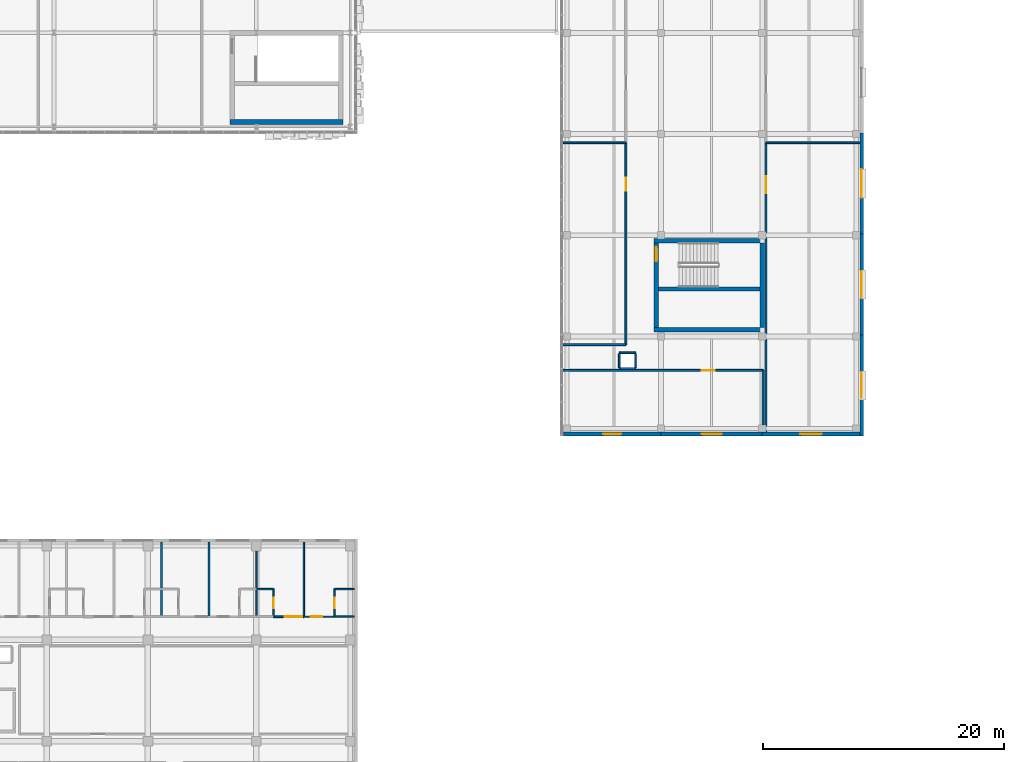
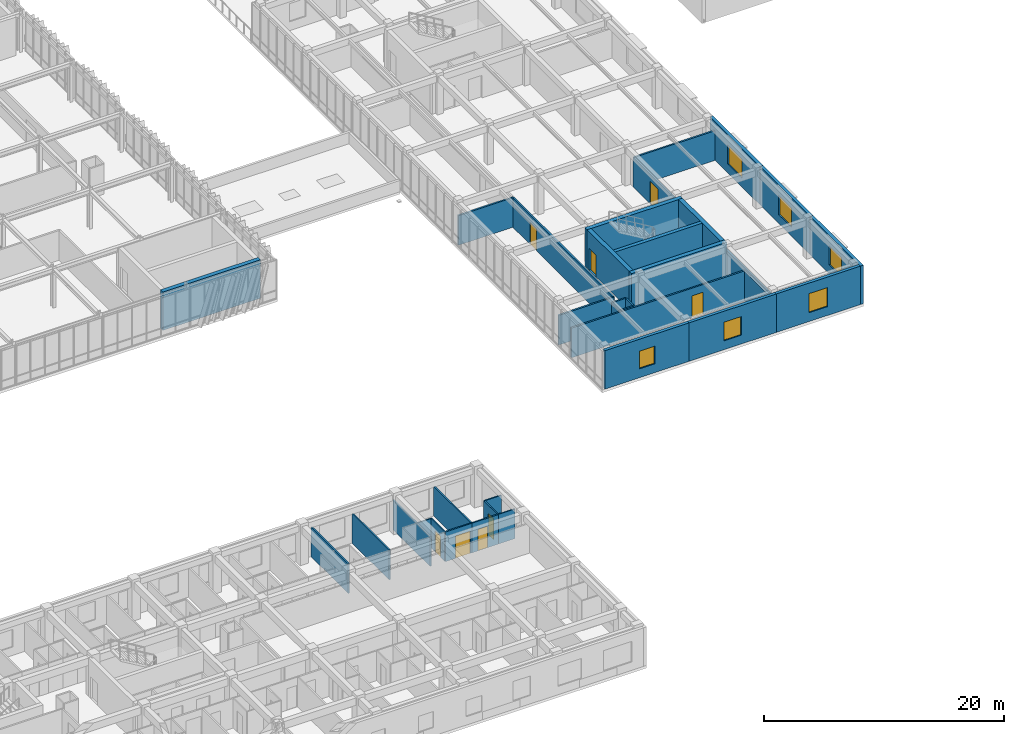
# One storey, part 111 of 123: 34 walls, 8 doors, 6 windows, 14 openings.
"""IFC4 building model written with IfcOpenShell, lengths in metres."""

from ifc_helpers import new_model, si_unit, direction, frame, frame_2d, origin, place, context, subcontext, project, spatial, rectangle, extrude, material, layer, layer_set, type_object, element, fill, save


model = new_model("IFC4")

# Units and contexts
model_context = context("Model", 3, precision=1e-05, world=origin(), true_north=direction((0.0, 1.0)))
body_context = subcontext(model_context, "Body", "Model", "MODEL_VIEW")
ifc_project = project(units=[si_unit("LENGTHUNIT", "METRE"), si_unit("AREAUNIT", "SQUARE_METRE"), si_unit("VOLUMEUNIT", "CUBIC_METRE"), si_unit("PLANEANGLEUNIT", "RADIAN"), si_unit("MASSUNIT", "GRAM", prefix="KILO")], contexts=[model_context])

# Site, building, storey
site_placement = place(None, origin())
site = spatial("IfcSite", under=ifc_project, at=site_placement, CompositionType="ELEMENT")
building_placement = place(site_placement, origin())
building = spatial("IfcBuilding", under=site, at=building_placement, Name="Zayran Congress Hotel", CompositionType="ELEMENT")
storey_placement = place(building_placement, frame((0.0, 0.0, 15.0)))
storey = spatial("IfcBuildingStorey", under=building, at=storey_placement, Name="L03", CompositionType="ELEMENT", Elevation=15.0)

# Wall, opening, window
ifc_material_1 = material(Name="Ajlun white limestone and insulated concrete C32/40", Category="masonry")
ifc_layer_1 = layer(ifc_material_1, 0.300048828125)
ifc_layer_set_1 = layer_set([ifc_layer_1], Name="Ajlun white limestone and insulated concrete C32/40")
wall_type_1 = type_object("IfcWallType", Name="WL-EX-300", PredefinedType="SOLIDWALL", material=ifc_layer_set_1)
wall_1_placement = place(storey_placement, frame((117.60009765625, 42.699951171875, 0.0), z_axis=(0.0, 0.0, 1.0), x_axis=(-1.0, 0.0, 0.0)))
wall_1 = element("IfcWall", 1, at=wall_1_placement, inside=storey, type_object=wall_type_1, Name="EW-V4-S-L03-0", PredefinedType="SOLIDWALL", context=body_context, shape_type="SweptSolid", body=[
    extrude(rectangle(XDim=8.10009765625, YDim=0.300048828125, at=frame_2d((4.050048828125, 0.0))), origin(), (0.0, 0.0, 1.0), 3.919921875),
])
opening_1_placement = place(wall_1_placement, frame((3.31005859375, 0.0, 0.89990234375)))
opening_1 = element("IfcOpeningElement", 2, at=opening_1_placement, cuts=wall_1, Name="Opening WN-34", PredefinedType="OPENING", context=body_context, shape_type="SweptSolid", body=[
    extrude(rectangle(XDim=1.47998046875, YDim=1.800048828125, at=frame_2d((0.739990234375, 0.89990234375))), frame((0.0, 0.159912109375, 0.0), z_axis=(0.0, -1.0, 0.0), x_axis=(1.0, 0.0, 0.0)), (0.0, 0.0, 1.0), 0.320068359375),
])
ifc_material_2 = material(Name="Anodised aluminium and low-E insulated glass", Category="aluminium")
window_type_1 = type_object("IfcWindowType", Name="TP-WN-34", PartitioningType="SINGLE_PANEL", PredefinedType="WINDOW", material=ifc_material_2)
window_1_placement = place(opening_1_placement, origin())
window_1 = element("IfcWindow", 3, at=window_1_placement, inside=storey, type_object=window_type_1, Name="WIN-V4-0147", OverallHeight=1.800048828125, OverallWidth=1.47998046875, PartitioningType="SINGLE_PANEL", PredefinedType="WINDOW", context=body_context, shape_type="SweptSolid", body=[
    extrude(rectangle(XDim=1.47998046875, YDim=1.800048828125, at=frame_2d((0.739990234375, 0.89990234375))), frame((0.0, 0.030029296875, 0.0), z_axis=(0.0, -1.0, 0.0), x_axis=(1.0, 0.0, 0.0)), (0.0, 0.0, 1.0), 0.06005859375),
])
fill(opening_1, window_1)

wall_2_placement = place(storey_placement, frame((126.0, 42.699951171875, 0.0), z_axis=(0.0, 0.0, 1.0), x_axis=(-1.0, 0.0, 0.0)))
wall_2 = element("IfcWall", 4, at=wall_2_placement, inside=storey, type_object=wall_type_1, Name="EW-V4-S-L03-1", PredefinedType="SOLIDWALL", context=body_context, shape_type="SweptSolid", body=[
    extrude(rectangle(XDim=8.39990234375, YDim=0.300048828125, at=frame_2d((4.199951171875, 0.0))), origin(), (0.0, 0.0, 1.0), 3.919921875),
])
opening_2_placement = place(wall_2_placement, frame((3.360107421875, 0.0, 0.89990234375)))
opening_2 = element("IfcOpeningElement", 5, at=opening_2_placement, cuts=wall_2, Name="Opening WN-36", PredefinedType="OPENING", context=body_context, shape_type="SweptSolid", body=[
    extrude(rectangle(XDim=1.679931640625, YDim=1.89990234375, at=frame_2d((0.83984375, 0.949951171875))), frame((0.0, 0.159912109375, 0.0), z_axis=(0.0, -1.0, 0.0), x_axis=(1.0, 0.0, 0.0)), (0.0, 0.0, 1.0), 0.320068359375),
])
window_type_2 = type_object("IfcWindowType", Name="TP-WN-36", PartitioningType="DOUBLE_PANEL_VERTICAL", PredefinedType="WINDOW", material=ifc_material_2)
window_2_placement = place(opening_2_placement, origin())
window_2 = element("IfcWindow", 6, at=window_2_placement, inside=storey, type_object=window_type_2, Name="WIN-V4-0149", OverallHeight=1.89990234375, OverallWidth=1.679931640625, PartitioningType="SINGLE_PANEL", PredefinedType="WINDOW", context=body_context, shape_type="SweptSolid", body=[
    extrude(rectangle(XDim=1.679931640625, YDim=1.89990234375, at=frame_2d((0.83984375, 0.949951171875))), frame((0.0, 0.030029296875, 0.0), z_axis=(0.0, -1.0, 0.0), x_axis=(1.0, 0.0, 0.0)), (0.0, 0.0, 1.0), 0.06005859375),
])
fill(opening_2, window_2)

wall_3_placement = place(storey_placement, frame((134.10009765625, 42.699951171875, 0.0), z_axis=(0.0, 0.0, 1.0), x_axis=(-1.0, 0.0, 0.0)))
wall_3 = element("IfcWall", 7, at=wall_3_placement, inside=storey, type_object=wall_type_1, Name="EW-V4-S-L03-2", PredefinedType="SOLIDWALL", context=body_context, shape_type="SweptSolid", body=[
    extrude(rectangle(XDim=8.10009765625, YDim=0.300048828125, at=frame_2d((4.050048828125, 0.0))), origin(), (0.0, 0.0, 1.0), 3.919921875),
])
opening_3_placement = place(wall_3_placement, frame((3.159912109375, 0.0, 0.89990234375)))
opening_3 = element("IfcOpeningElement", 8, at=opening_3_placement, cuts=wall_3, Name="Opening WN-37", PredefinedType="OPENING", context=body_context, shape_type="SweptSolid", body=[
    extrude(rectangle(XDim=1.780029296875, YDim=1.949951171875, at=frame_2d((0.89013671875, 0.97509765625))), frame((0.0, 0.159912109375, 0.0), z_axis=(0.0, -1.0, 0.0), x_axis=(1.0, 0.0, 0.0)), (0.0, 0.0, 1.0), 0.320068359375),
])
window_type_3 = type_object("IfcWindowType", Name="TP-WN-37", PartitioningType="DOUBLE_PANEL_VERTICAL", PredefinedType="WINDOW", material=ifc_material_2)
window_3_placement = place(opening_3_placement, origin())
window_3 = element("IfcWindow", 9, at=window_3_placement, inside=storey, type_object=window_type_3, Name="WIN-V4-0151", OverallHeight=1.949951171875, OverallWidth=1.780029296875, PartitioningType="SINGLE_PANEL", PredefinedType="WINDOW", context=body_context, shape_type="SweptSolid", body=[
    extrude(rectangle(XDim=1.780029296875, YDim=1.949951171875, at=frame_2d((0.89013671875, 0.97509765625))), frame((0.0, 0.030029296875, 0.0), z_axis=(0.0, -1.0, 0.0), x_axis=(1.0, 0.0, 0.0)), (0.0, 0.0, 1.0), 0.06005859375),
])
fill(opening_3, window_3)

wall_4_placement = place(storey_placement, frame((134.25, 50.928955078125, 0.0), z_axis=(0.0, 0.0, 1.0), x_axis=(0.0, -1.0, 0.0)))
wall_4 = element("IfcWall", 10, at=wall_4_placement, inside=storey, type_object=wall_type_1, Name="EW-V4-E-L03-0", PredefinedType="SOLIDWALL", context=body_context, shape_type="SweptSolid", body=[
    extrude(rectangle(XDim=8.37890625, YDim=0.300048828125, at=frame_2d((4.189453125, 0.0))), origin(), (0.0, 0.0, 1.0), 3.919921875),
])
opening_4_placement = place(wall_4_placement, frame((3.1650390625, 0.0, 0.89990234375)))
opening_4 = element("IfcOpeningElement", 11, at=opening_4_placement, cuts=wall_4, Name="Opening WN-39", PredefinedType="OPENING", context=body_context, shape_type="SweptSolid", body=[
    extrude(rectangle(XDim=2.050048828125, YDim=1.949951171875, at=frame_2d((1.02490234375, 0.97509765625))), frame((0.0, 0.159912109375, 0.0), z_axis=(0.0, -1.0, 0.0), x_axis=(1.0, 0.0, 0.0)), (0.0, 0.0, 1.0), 0.320068359375),
])
window_type_4 = type_object("IfcWindowType", Name="TP-WN-39", PartitioningType="DOUBLE_PANEL_VERTICAL", PredefinedType="WINDOW", material=ifc_material_2)
window_4_placement = place(opening_4_placement, origin())
window_4 = element("IfcWindow", 12, at=window_4_placement, inside=storey, type_object=window_type_4, Name="WIN-V4-0153", OverallHeight=1.949951171875, OverallWidth=2.050048828125, PartitioningType="SINGLE_PANEL", PredefinedType="WINDOW", context=body_context, shape_type="SweptSolid", body=[
    extrude(rectangle(XDim=2.050048828125, YDim=1.949951171875, at=frame_2d((1.02490234375, 0.97509765625))), frame((0.0, 0.030029296875, 0.0), z_axis=(0.0, -1.0, 0.0), x_axis=(1.0, 0.0, 0.0)), (0.0, 0.0, 1.0), 0.06005859375),
])
fill(opening_4, window_4)

wall_5_placement = place(storey_placement, frame((134.25, 59.306884765625, 0.0), z_axis=(0.0, 0.0, 1.0), x_axis=(0.0, -1.0, 0.0)))
wall_5 = element("IfcWall", 13, at=wall_5_placement, inside=storey, type_object=wall_type_1, Name="EW-V4-E-L03-1", PredefinedType="SOLIDWALL", context=body_context, shape_type="SweptSolid", body=[
    extrude(rectangle(XDim=8.3779296875, YDim=0.300048828125, at=frame_2d((4.18896484375, 0.0))), origin(), (0.0, 0.0, 1.0), 3.919921875),
])
opening_5_placement = place(wall_5_placement, frame((3.09912109375, 0.0, 0.89990234375)))
opening_5 = element("IfcOpeningElement", 14, at=opening_5_placement, cuts=wall_5, Name="Opening WN-40", PredefinedType="OPENING", context=body_context, shape_type="SweptSolid", body=[
    extrude(rectangle(XDim=2.179931640625, YDim=1.949951171875, at=frame_2d((1.08984375, 0.97509765625))), frame((0.0, 0.159912109375, 0.0), z_axis=(0.0, -1.0, 0.0), x_axis=(1.0, 0.0, 0.0)), (0.0, 0.0, 1.0), 0.320068359375),
])
window_type_5 = type_object("IfcWindowType", Name="TP-WN-40", PartitioningType="DOUBLE_PANEL_VERTICAL", PredefinedType="WINDOW", material=ifc_material_2)
window_5_placement = place(opening_5_placement, origin())
window_5 = element("IfcWindow", 15, at=window_5_placement, inside=storey, type_object=window_type_5, Name="WIN-V4-0154", OverallHeight=1.949951171875, OverallWidth=2.179931640625, PartitioningType="SINGLE_PANEL", PredefinedType="WINDOW", context=body_context, shape_type="SweptSolid", body=[
    extrude(rectangle(XDim=2.179931640625, YDim=1.949951171875, at=frame_2d((1.08984375, 0.97509765625))), frame((0.0, 0.030029296875, 0.0), z_axis=(0.0, -1.0, 0.0), x_axis=(1.0, 0.0, 0.0)), (0.0, 0.0, 1.0), 0.06005859375),
])
fill(opening_5, window_5)

wall_6_placement = place(storey_placement, frame((134.25, 67.68603515625, 0.0), z_axis=(0.0, 0.0, 1.0), x_axis=(0.0, -1.0, 0.0)))
wall_6 = element("IfcWall", 16, at=wall_6_placement, inside=storey, type_object=wall_type_1, Name="EW-V4-E-L03-2", PredefinedType="SOLIDWALL", context=body_context, shape_type="SweptSolid", body=[
    extrude(rectangle(XDim=8.379150390625, YDim=0.300048828125, at=frame_2d((4.189453125, 0.0))), origin(), (0.0, 0.0, 1.0), 3.919921875),
])
opening_6_placement = place(wall_6_placement, frame((3.0, 0.0, 0.89990234375)))
opening_6 = element("IfcOpeningElement", 17, at=opening_6_placement, cuts=wall_6, Name="Opening WN-41", PredefinedType="OPENING", context=body_context, shape_type="SweptSolid", body=[
    extrude(rectangle(XDim=2.3798828125, YDim=1.949951171875, at=frame_2d((1.18994140625, 0.97509765625))), frame((0.0, 0.159912109375, 0.0), z_axis=(0.0, -1.0, 0.0), x_axis=(1.0, 0.0, 0.0)), (0.0, 0.0, 1.0), 0.320068359375),
])
window_type_6 = type_object("IfcWindowType", Name="TP-WN-41", PartitioningType="DOUBLE_PANEL_VERTICAL", PredefinedType="WINDOW", material=ifc_material_2)
window_6_placement = place(opening_6_placement, origin())
window_6 = element("IfcWindow", 18, at=window_6_placement, inside=storey, type_object=window_type_6, Name="WIN-V4-0155", OverallHeight=1.949951171875, OverallWidth=2.3798828125, PartitioningType="SINGLE_PANEL", PredefinedType="WINDOW", context=body_context, shape_type="SweptSolid", body=[
    extrude(rectangle(XDim=2.3798828125, YDim=1.949951171875, at=frame_2d((1.18994140625, 0.97509765625))), frame((0.0, 0.030029296875, 0.0), z_axis=(0.0, -1.0, 0.0), x_axis=(1.0, 0.0, 0.0)), (0.0, 0.0, 1.0), 0.06005859375),
])
fill(opening_6, window_6)

# Walls
ifc_material_3 = material(Name="Concrete C40/50", Category="concrete")
ifc_layer_2 = layer(ifc_material_3, 0.39990234375)
ifc_layer_set_2 = layer_set([ifc_layer_2], Name="Concrete C40/50")
wall_type_2 = type_object("IfcWallType", Name="WL-SH-400", PredefinedType="SHEAR", material=ifc_layer_set_2)
wall_7_placement = place(storey_placement, frame((81.800048828125, 68.60009765625, 0.0), z_axis=(0.0, 0.0, 1.0), x_axis=(1.0, 0.0, 0.0)))
element("IfcWall", 19, at=wall_7_placement, inside=storey, type_object=wall_type_2, Name="CWALL-C-V1F-L03-S", PredefinedType="SHEAR", context=body_context, shape_type="SweptSolid", body=[
    extrude(rectangle(XDim=9.39990234375, YDim=0.39990234375, at=frame_2d((4.699951171875, 0.0))), origin(), (0.0, 0.0, 1.0), 3.919921875),
])
for number, where, z_axis, x_axis, name in (
    (20, (117.0, 51.35009765625, 0.0), (0.0, 0.0, 1.0), (1.0, 0.0, 0.0), "CWALL-C-V4S-L03-S"),
    (21, (126.199951171875, 58.735107421875, 0.0), (0.0, 0.0, 1.0), (-1.0, 0.0, 0.0), "CWALL-C-V4S-L03-N"),
):
    element("IfcWall", number, at=place(storey_placement, frame(where, z_axis=z_axis, x_axis=x_axis)), inside=storey, type_object=wall_type_2, Name=name, PredefinedType="SHEAR", context=body_context, shape_type="SweptSolid", body=[
        extrude(rectangle(XDim=9.199951171875, YDim=0.39990234375, at=frame_2d((4.60009765625, 0.0))), origin(), (0.0, 0.0, 1.0), 3.919921875),
    ])

# Wall, opening, door
wall_8_placement = place(storey_placement, frame((117.199951171875, 58.550048828125, 0.0), z_axis=(0.0, 0.0, 1.0), x_axis=(0.0, -1.0, 0.0)))
wall_8 = element("IfcWall", 22, at=wall_8_placement, inside=storey, type_object=wall_type_2, Name="CWALL-C-V4S-L03-W", PredefinedType="SHEAR", context=body_context, shape_type="SweptSolid", body=[
    extrude(rectangle(XDim=7.0, YDim=0.39990234375, at=frame_2d((3.5, 0.0))), origin(), (0.0, 0.0, 1.0), 3.919921875),
])
opening_7_placement = place(wall_8_placement, frame((0.35009765625, 0.0, 0.0)))
opening_7 = element("IfcOpeningElement", 23, at=opening_7_placement, cuts=wall_8, Name="Opening DR-FD-90", PredefinedType="OPENING", context=body_context, shape_type="SweptSolid", body=[
    extrude(rectangle(XDim=1.14990234375, YDim=2.199951171875, at=frame_2d((0.574951171875, 1.10009765625))), frame((0.0, 0.2099609375, 0.0), z_axis=(0.0, -1.0, 0.0), x_axis=(1.0, 0.0, 0.0)), (0.0, 0.0, 1.0), 0.419921875),
])
ifc_material_4 = material(Name="Painted steel fire door assembly", Category="steel")
door_type_1 = type_object("IfcDoorType", Name="TP-DR-FD-90", OperationType="NOTDEFINED", PredefinedType="DOOR", material=ifc_material_4)
door_1_placement = place(opening_7_placement, origin())
door_1 = element("IfcDoor", 24, at=door_1_placement, inside=storey, type_object=door_type_1, Name="ST-08 Exit Stair Door L03", OperationType="SINGLE_SWING_RIGHT", OverallHeight=2.199951171875, OverallWidth=1.14990234375, PredefinedType="DOOR", context=body_context, shape_type="SweptSolid", body=[
    extrude(rectangle(XDim=1.14990234375, YDim=2.199951171875, at=frame_2d((0.574951171875, 1.10009765625))), frame((0.0, 0.02490234375, 0.0), z_axis=(0.0, -1.0, 0.0), x_axis=(1.0, 0.0, 0.0)), (0.0, 0.0, 1.0), 0.050048828125),
])
fill(opening_7, door_1)

# Walls
wall_9_placement = place(storey_placement, frame((126.0, 51.550048828125, 0.0), z_axis=(0.0, 0.0, 1.0), x_axis=(0.0, 1.0, 0.0)))
element("IfcWall", 25, at=wall_9_placement, inside=storey, type_object=wall_type_2, Name="CWALL-C-V4S-L03-E", PredefinedType="SHEAR", context=body_context, shape_type="SweptSolid", body=[
    extrude(rectangle(XDim=7.0, YDim=0.39990234375, at=frame_2d((3.5, 0.0))), origin(), (0.0, 0.0, 1.0), 3.919921875),
])
ifc_layer_3 = layer(ifc_material_3, 0.35009765625)
ifc_layer_set_3 = layer_set([ifc_layer_3], Name="Concrete C40/50")
wall_type_3 = type_object("IfcWallType", Name="WL-SH-350", PredefinedType="SHEAR", material=ifc_layer_set_3)
wall_10_placement = place(storey_placement, frame((117.39990234375, 54.735107421875, 0.0), z_axis=(0.0, 0.0, 1.0), x_axis=(1.0, 0.0, 0.0)))
element("IfcWall", 26, at=wall_10_placement, inside=storey, type_object=wall_type_3, Name="CWALL-C-V4S-L03-SPN", PredefinedType="SHEAR", context=body_context, shape_type="SweptSolid", body=[
    extrude(rectangle(XDim=8.400146484375, YDim=0.35009765625, at=frame_2d((4.2001953125, 0.0))), origin(), (0.0, 0.0, 1.0), 3.919921875),
])

# Wall, opening, door
ifc_material_5 = material(Name="Acoustic twin-stud gypsum partition", Category="gypsum")
ifc_layer_4 = layer(ifc_material_5, 0.159912109375)
ifc_layer_set_4 = layer_set([ifc_layer_4], Name="Acoustic twin-stud gypsum partition")
wall_type_4 = type_object("IfcWallType", Name="WL-PT-160", PredefinedType="PARTITIONING", material=ifc_layer_set_4)
wall_11_placement = place(storey_placement, frame((109.360107421875, 47.97998046875, 0.0), z_axis=(0.0, 0.0, 1.0), x_axis=(1.0, 0.0, 0.0)))
wall_11 = element("IfcWall", 27, at=wall_11_placement, inside=storey, type_object=wall_type_4, Name="IW-L03-0561", PredefinedType="PARTITIONING", context=body_context, shape_type="SweptSolid", body=[
    extrude(rectangle(XDim=16.719970703125, YDim=0.159912109375, at=frame_2d((8.35986328125, 0.0))), origin(), (0.0, 0.0, 1.0), 3.02001953125),
])
opening_8_placement = place(wall_11_placement, frame((11.60009765625, 0.0, 0.0)))
opening_8 = element("IfcOpeningElement", 28, at=opening_8_placement, cuts=wall_11, Name="Opening DR-MT-01", PredefinedType="OPENING", context=body_context, shape_type="SweptSolid", body=[
    extrude(rectangle(XDim=1.080078125, YDim=2.25, at=frame_2d((0.5400390625, 1.125))), frame((0.0, 0.08984375, 0.0), z_axis=(0.0, -1.0, 0.0), x_axis=(1.0, 0.0, 0.0)), (0.0, 0.0, 1.0), 0.179931640625),
])
ifc_material_6 = material(Name="Acoustic timber seminar room door", Category="wood")
door_type_2 = type_object("IfcDoorType", Name="TP-DR-MT-01", OperationType="NOTDEFINED", PredefinedType="DOOR", material=ifc_material_6)
door_2_placement = place(opening_8_placement, origin())
door_2 = element("IfcDoor", 29, at=door_2_placement, inside=storey, type_object=door_type_2, Name="Meeting Room Seminar L03-01 Door", OperationType="SINGLE_SWING_RIGHT", OverallHeight=2.25, OverallWidth=1.080078125, PredefinedType="DOOR", context=body_context, shape_type="SweptSolid", body=[
    extrude(rectangle(XDim=1.080078125, YDim=2.25, at=frame_2d((0.5400390625, 1.125))), frame((0.0, 0.02490234375, 0.0), z_axis=(0.0, -1.0, 0.0), x_axis=(1.0, 0.0, 0.0)), (0.0, 0.0, 1.0), 0.050048828125),
])
fill(opening_8, door_2)

wall_12_placement = place(storey_placement, frame((114.679931640625, 50.1201171875, 0.0), z_axis=(0.0, 0.0, 1.0), x_axis=(0.0, 1.0, 0.0)))
wall_12 = element("IfcWall", 30, at=wall_12_placement, inside=storey, type_object=wall_type_4, Name="IW-L03-0562", PredefinedType="PARTITIONING", context=body_context, shape_type="SweptSolid", body=[
    extrude(rectangle(XDim=16.759765625, YDim=0.159912109375, at=frame_2d((8.3798828125, 0.0))), origin(), (0.0, 0.0, 1.0), 3.02001953125),
])
opening_9_placement = place(wall_12_placement, frame((12.760009765625, 0.0, 0.0)))
opening_9 = element("IfcOpeningElement", 31, at=opening_9_placement, cuts=wall_12, Name="Opening DR-MT-01", PredefinedType="OPENING", context=body_context, shape_type="SweptSolid", body=[
    extrude(rectangle(XDim=1.080078125, YDim=2.25, at=frame_2d((0.5400390625, 1.125))), frame((0.0, 0.08984375, 0.0), z_axis=(0.0, -1.0, 0.0), x_axis=(1.0, 0.0, 0.0)), (0.0, 0.0, 1.0), 0.179931640625),
])
door_3_placement = place(opening_9_placement, origin())
door_3 = element("IfcDoor", 32, at=door_3_placement, inside=storey, type_object=door_type_2, Name="Meeting Room Seminar L03-02 Door", OperationType="SINGLE_SWING_LEFT", OverallHeight=2.25, OverallWidth=1.080078125, PredefinedType="DOOR", context=body_context, shape_type="SweptSolid", body=[
    extrude(rectangle(XDim=1.080078125, YDim=2.25, at=frame_2d((0.5400390625, 1.125))), frame((0.0, 0.02490234375, 0.0), z_axis=(0.0, -1.0, 0.0), x_axis=(1.0, 0.0, 0.0)), (0.0, 0.0, 1.0), 0.050048828125),
])
fill(opening_9, door_3)

wall_13_placement = place(storey_placement, frame((126.320068359375, 42.85009765625, 0.0), z_axis=(0.0, 0.0, 1.0), x_axis=(0.0, 1.0, 0.0)))
wall_13 = element("IfcWall", 33, at=wall_13_placement, inside=storey, type_object=wall_type_4, Name="IW-L03-0563", PredefinedType="PARTITIONING", context=body_context, shape_type="SweptSolid", body=[
    extrude(rectangle(XDim=24.02978515625, YDim=0.159912109375, at=frame_2d((12.014892578125, 0.0))), origin(), (0.0, 0.0, 1.0), 3.02001953125),
])
opening_10_placement = place(wall_13_placement, frame((19.847900390625, 0.0, 0.0)))
opening_10 = element("IfcOpeningElement", 34, at=opening_10_placement, cuts=wall_13, Name="Opening DR-MT-03", PredefinedType="OPENING", context=body_context, shape_type="SweptSolid", body=[
    extrude(rectangle(XDim=1.3798828125, YDim=2.280029296875, at=frame_2d((0.68994140625, 1.14013671875))), frame((0.0, 0.08984375, 0.0), z_axis=(0.0, -1.0, 0.0), x_axis=(1.0, 0.0, 0.0)), (0.0, 0.0, 1.0), 0.179931640625),
])
ifc_material_7 = material(Name="Double caucus salon door", Category="steel")
door_type_3 = type_object("IfcDoorType", Name="TP-DR-MT-03", OperationType="DOUBLE_DOOR_SINGLE_SWING", PredefinedType="DOOR", material=ifc_material_7)
door_4_placement = place(opening_10_placement, origin())
door_4 = element("IfcDoor", 35, at=door_4_placement, inside=storey, type_object=door_type_3, Name="Caucus Suite East L03-02 Door", OperationType="DOUBLE_DOOR_SINGLE_SWING", OverallHeight=2.280029296875, OverallWidth=1.3798828125, PredefinedType="DOOR", context=body_context, shape_type="SweptSolid", body=[
    extrude(rectangle(XDim=1.3798828125, YDim=2.280029296875, at=frame_2d((0.68994140625, 1.14013671875))), frame((0.0, 0.02490234375, 0.0), z_axis=(0.0, -1.0, 0.0), x_axis=(1.0, 0.0, 0.0)), (0.0, 0.0, 1.0), 0.050048828125),
])
fill(opening_10, door_4)

# Walls
wall_14_placement = place(storey_placement, frame((126.080078125, 42.85009765625, 0.0), z_axis=(0.0, 0.0, 1.0), x_axis=(0.0, 1.0, 0.0)))
element("IfcWall", 36, at=wall_14_placement, inside=storey, type_object=wall_type_4, Name="IW-L03-1879", PredefinedType="PARTITIONING", context=body_context, shape_type="SweptSolid", body=[
    extrude(rectangle(XDim=5.1298828125, YDim=0.159912109375, at=frame_2d((2.56494140625, 0.0))), origin(), (0.0, 0.0, 1.0), 3.02001953125),
])
for number, where, z_axis, x_axis, name in (
    (37, (109.360107421875, 50.1201171875, 0.0), (0.0, 0.0, 1.0), (1.0, 0.0, 0.0), "IW-L03-1880"),
    (38, (109.360107421875, 66.8798828125, 0.0), (0.0, 0.0, 1.0), (1.0, 0.0, 0.0), "IW-L03-1881"),
):
    element("IfcWall", number, at=place(storey_placement, frame(where, z_axis=z_axis, x_axis=x_axis)), inside=storey, type_object=wall_type_4, Name=name, PredefinedType="PARTITIONING", context=body_context, shape_type="SweptSolid", body=[
        extrude(rectangle(XDim=5.31982421875, YDim=0.159912109375, at=frame_2d((2.659912109375, 0.0))), origin(), (0.0, 0.0, 1.0), 3.02001953125),
    ])
wall_15_placement = place(storey_placement, frame((126.320068359375, 66.8798828125, 0.0), z_axis=(0.0, 0.0, 1.0), x_axis=(1.0, 0.0, 0.0)))
element("IfcWall", 39, at=wall_15_placement, inside=storey, type_object=wall_type_4, Name="IW-L03-1882", PredefinedType="PARTITIONING", context=body_context, shape_type="SweptSolid", body=[
    extrude(rectangle(XDim=7.780029296875, YDim=0.159912109375, at=frame_2d((3.89013671875, 0.0))), origin(), (0.0, 0.0, 1.0), 3.02001953125),
])

# Wall, opening, door
ifc_material_8 = material(Name="Hospitality guestroom acoustic partition", Category="gypsum")
ifc_layer_5 = layer(ifc_material_8, 0.139892578125)
ifc_layer_set_5 = layer_set([ifc_layer_5], Name="Hospitality guestroom acoustic partition")
wall_type_5 = type_object("IfcWallType", Name="WL-PT-140", PredefinedType="PARTITIONING", material=ifc_layer_set_5)
wall_16_placement = place(storey_placement, frame((85.412109375, 27.530029296875, 0.0), z_axis=(0.0, 0.0, 1.0), x_axis=(1.0, 0.0, 0.0)))
wall_16 = element("IfcWall", 40, at=wall_16_placement, inside=storey, type_object=wall_type_5, Name="IW-L03-0607", PredefinedType="PARTITIONING", context=body_context, shape_type="SweptSolid", body=[
    extrude(rectangle(XDim=2.534912109375, YDim=0.139892578125, at=frame_2d((1.267578125, 0.0))), origin(), (0.0, 0.0, 1.0), 3.02001953125),
])
opening_11_placement = place(wall_16_placement, frame((0.945068359375, 0.0, 0.0)))
opening_11 = element("IfcOpeningElement", 41, at=opening_11_placement, cuts=wall_16, Name="Opening DR-ST-01", PredefinedType="OPENING", context=body_context, shape_type="SweptSolid", body=[
    extrude(rectangle(XDim=1.449951171875, YDim=2.300048828125, at=frame_2d((0.72509765625, 1.14990234375))), frame((0.0, 0.079833984375, 0.0), z_axis=(0.0, -1.0, 0.0), x_axis=(1.0, 0.0, 0.0)), (0.0, 0.0, 1.0), 0.159912109375),
])
ifc_material_9 = material(Name="Double walnut veneer suite entry door", Category="wood")
door_type_4 = type_object("IfcDoorType", Name="TP-DR-ST-01", OperationType="DOUBLE_DOOR_SINGLE_SWING", PredefinedType="DOOR", material=ifc_material_9)
door_5_placement = place(opening_11_placement, origin())
door_5 = element("IfcDoor", 42, at=door_5_placement, inside=storey, type_object=door_type_4, Name="Executive Suite L03-35 Door", OperationType="DOUBLE_DOOR_SINGLE_SWING", OverallHeight=2.300048828125, OverallWidth=1.449951171875, PredefinedType="DOOR", context=body_context, shape_type="SweptSolid", body=[
    extrude(rectangle(XDim=1.449951171875, YDim=2.300048828125, at=frame_2d((0.72509765625, 1.14990234375))), frame((0.0, 0.02490234375, 0.0), z_axis=(0.0, -1.0, 0.0), x_axis=(1.0, 0.0, 0.0)), (0.0, 0.0, 1.0), 0.050048828125),
])
fill(opening_11, door_5)

wall_17_placement = place(storey_placement, frame((87.967041015625, 27.530029296875, 0.0), z_axis=(0.0, 0.0, 1.0), x_axis=(1.0, 0.0, 0.0)))
wall_17 = element("IfcWall", 43, at=wall_17_placement, inside=storey, type_object=wall_type_5, Name="IW-L03-0608", PredefinedType="PARTITIONING", context=body_context, shape_type="SweptSolid", body=[
    extrude(rectangle(XDim=2.534912109375, YDim=0.139892578125, at=frame_2d((1.267578125, 0.0))), origin(), (0.0, 0.0, 1.0), 3.02001953125),
])
opening_12_placement = place(wall_17_placement, frame((0.56298828125, 0.0, 0.0)))
opening_12 = element("IfcOpeningElement", 44, at=opening_12_placement, cuts=wall_17, Name="Opening DR-GR-01", PredefinedType="OPENING", context=body_context, shape_type="SweptSolid", body=[
    extrude(rectangle(XDim=0.93994140625, YDim=2.199951171875, at=frame_2d((0.469970703125, 1.10009765625))), frame((0.0, 0.079833984375, 0.0), z_axis=(0.0, -1.0, 0.0), x_axis=(1.0, 0.0, 0.0)), (0.0, 0.0, 1.0), 0.159912109375),
])
ifc_material_10 = material(Name="Acoustic walnut veneer fire-rated entry door", Category="wood")
door_type_5 = type_object("IfcDoorType", Name="TP-DR-GR-01", OperationType="NOTDEFINED", PredefinedType="DOOR", material=ifc_material_10)
door_6_placement = place(opening_12_placement, origin())
door_6 = element("IfcDoor", 45, at=door_6_placement, inside=storey, type_object=door_type_5, Name="Guest Room L03-36 Door", OperationType="SINGLE_SWING_LEFT", OverallHeight=2.199951171875, OverallWidth=0.93994140625, PredefinedType="DOOR", context=body_context, shape_type="SweptSolid", body=[
    extrude(rectangle(XDim=0.93994140625, YDim=2.199951171875, at=frame_2d((0.469970703125, 1.10009765625))), frame((0.0, 0.02490234375, 0.0), z_axis=(0.0, -1.0, 0.0), x_axis=(1.0, 0.0, 0.0)), (0.0, 0.0, 1.0), 0.050048828125),
])
fill(opening_12, door_6)

# Walls
for number, where, z_axis, x_axis, name in (
    (46, (76.118896484375, 27.52001953125, 0.0), (0.0, 0.0, 1.0), (0.0, 1.0, 0.0), "IW-L03-1925"),
    (47, (80.06201171875, 27.52001953125, 0.0), (0.0, 0.0, 1.0), (0.0, 1.0, 0.0), "IW-L03-1926"),
    (48, (84.00390625, 27.52001953125, 0.0), (0.0, 0.0, 1.0), (0.0, 1.0, 0.0), "IW-L03-1927"),
    (49, (87.947021484375, 27.52001953125, 0.0), (0.0, 0.0, 1.0), (0.0, 1.0, 0.0), "IW-L03-1928"),
):
    element("IfcWall", number, at=place(storey_placement, frame(where, z_axis=z_axis, x_axis=x_axis)), inside=storey, type_object=wall_type_5, Name=name, PredefinedType="PARTITIONING", context=body_context, shape_type="SweptSolid", body=[
        extrude(rectangle(XDim=6.199951171875, YDim=0.139892578125, at=frame_2d((3.10009765625, 0.0))), origin(), (0.0, 0.0, 1.0), 3.02001953125),
    ])
for number, where, z_axis, x_axis, name in (
    (50, (114.1298828125, 48.1298828125, 0.0), (0.0, 0.0, 1.0), (1.0, 0.0, 0.0), "RSWL-V4-L03-021-S"),
    (51, (115.489990234375, 49.449951171875, 0.0), (0.0, 0.0, 1.0), (-1.0, 0.0, 0.0), "RSWL-V4-L03-021-N"),
):
    element("IfcWall", number, at=place(storey_placement, frame(where, z_axis=z_axis, x_axis=x_axis)), inside=storey, type_object=wall_type_5, Name=name, PredefinedType="PARTITIONING", context=body_context, shape_type="SweptSolid", body=[
        extrude(rectangle(XDim=1.360107421875, YDim=0.139892578125, at=frame_2d((0.68017578125, 0.0))), origin(), (0.0, 0.0, 1.0), 3.0400390625),
    ])
for number, where, z_axis, x_axis, name in (
    (52, (114.1298828125, 49.3798828125, 0.0), (0.0, 0.0, 1.0), (0.0, -1.0, 0.0), "RSWL-V4-L03-021-W"),
    (53, (115.489990234375, 48.199951171875, 0.0), (0.0, 0.0, 1.0), (0.0, 1.0, 0.0), "RSWL-V4-L03-021-E"),
):
    element("IfcWall", number, at=place(storey_placement, frame(where, z_axis=z_axis, x_axis=x_axis)), inside=storey, type_object=wall_type_5, Name=name, PredefinedType="PARTITIONING", context=body_context, shape_type="SweptSolid", body=[
        extrude(rectangle(XDim=1.179931640625, YDim=0.139892578125, at=frame_2d((0.58984375, 0.0))), origin(), (0.0, 0.0, 1.0), 3.0400390625),
    ])

# Wall, opening, door
ifc_material_11 = material(Name="Moisture-resistant bathroom partition", Category="gypsum")
ifc_layer_6 = layer(ifc_material_11, 0.1201171875)
ifc_layer_set_6 = layer_set([ifc_layer_6], Name="Moisture-resistant bathroom partition")
wall_type_6 = type_object("IfcWallType", Name="WL-PT-120", PredefinedType="PARTITIONING", material=ifc_layer_set_6)
wall_18_placement = place(storey_placement, frame((85.412109375, 27.52001953125, 0.0), z_axis=(0.0, 0.0, 1.0), x_axis=(0.0, 1.0, 0.0)))
wall_18 = element("IfcWall", 54, at=wall_18_placement, inside=storey, type_object=wall_type_6, Name="IW-L03-0125", PredefinedType="PARTITIONING", context=body_context, shape_type="SweptSolid", body=[
    extrude(rectangle(XDim=2.31005859375, YDim=0.1201171875, at=frame_2d((1.155029296875, 0.0))), origin(), (0.0, 0.0, 1.0), 3.02001953125),
])
opening_13_placement = place(wall_18_placement, frame((0.715087890625, 0.0, 0.0)))
opening_13 = element("IfcOpeningElement", 55, at=opening_13_placement, cuts=wall_18, Name="Opening DR-BT-01", PredefinedType="OPENING", context=body_context, shape_type="SweptSolid", body=[
    extrude(rectangle(XDim=0.8798828125, YDim=2.14990234375, at=frame_2d((0.43994140625, 1.074951171875))), frame((0.0, 0.070068359375, 0.0), z_axis=(0.0, -1.0, 0.0), x_axis=(1.0, 0.0, 0.0)), (0.0, 0.0, 1.0), 0.14013671875),
])
ifc_material_12 = material(Name="Moisture-resistant oak en-suite door", Category="wood")
door_type_6 = type_object("IfcDoorType", Name="TP-DR-BT-01", OperationType="NOTDEFINED", PredefinedType="DOOR", material=ifc_material_12)
door_7_placement = place(opening_13_placement, origin())
door_7 = element("IfcDoor", 56, at=door_7_placement, inside=storey, type_object=door_type_6, Name="En-Suite Bathroom L03-35 Door", OperationType="SINGLE_SWING_RIGHT", OverallHeight=2.14990234375, OverallWidth=0.8798828125, PredefinedType="DOOR", context=body_context, shape_type="SweptSolid", body=[
    extrude(rectangle(XDim=0.8798828125, YDim=2.14990234375, at=frame_2d((0.43994140625, 1.074951171875))), frame((0.0, 0.02490234375, 0.0), z_axis=(0.0, -1.0, 0.0), x_axis=(1.0, 0.0, 0.0)), (0.0, 0.0, 1.0), 0.050048828125),
])
fill(opening_13, door_7)

wall_19_placement = place(storey_placement, frame((90.501953125, 27.52001953125, 0.0), z_axis=(0.0, 0.0, 1.0), x_axis=(0.0, 1.0, 0.0)))
wall_19 = element("IfcWall", 57, at=wall_19_placement, inside=storey, type_object=wall_type_6, Name="IW-L03-0126", PredefinedType="PARTITIONING", context=body_context, shape_type="SweptSolid", body=[
    extrude(rectangle(XDim=2.31005859375, YDim=0.1201171875, at=frame_2d((1.155029296875, 0.0))), origin(), (0.0, 0.0, 1.0), 3.02001953125),
])
opening_14_placement = place(wall_19_placement, frame((0.715087890625, 0.0, 0.0)))
opening_14 = element("IfcOpeningElement", 58, at=opening_14_placement, cuts=wall_19, Name="Opening DR-BT-01", PredefinedType="OPENING", context=body_context, shape_type="SweptSolid", body=[
    extrude(rectangle(XDim=0.8798828125, YDim=2.14990234375, at=frame_2d((0.43994140625, 1.074951171875))), frame((0.0, 0.070068359375, 0.0), z_axis=(0.0, -1.0, 0.0), x_axis=(1.0, 0.0, 0.0)), (0.0, 0.0, 1.0), 0.14013671875),
])
door_8_placement = place(opening_14_placement, origin())
door_8 = element("IfcDoor", 59, at=door_8_placement, inside=storey, type_object=door_type_6, Name="En-Suite Bathroom L03-36 Door", OperationType="SINGLE_SWING_LEFT", OverallHeight=2.14990234375, OverallWidth=0.8798828125, PredefinedType="DOOR", context=body_context, shape_type="SweptSolid", body=[
    extrude(rectangle(XDim=0.8798828125, YDim=2.14990234375, at=frame_2d((0.43994140625, 1.074951171875))), frame((0.0, 0.02490234375, 0.0), z_axis=(0.0, -1.0, 0.0), x_axis=(1.0, 0.0, 0.0)), (0.0, 0.0, 1.0), 0.050048828125),
])
fill(opening_14, door_8)

# Walls
wall_20_placement = place(storey_placement, frame((84.013916015625, 29.820068359375, 0.0), z_axis=(0.0, 0.0, 1.0), x_axis=(1.0, 0.0, 0.0)))
element("IfcWall", 60, at=wall_20_placement, inside=storey, type_object=wall_type_6, Name="IW-L03-1118", PredefinedType="PARTITIONING", context=body_context, shape_type="SweptSolid", body=[
    extrude(rectangle(XDim=1.408203125, YDim=0.1201171875, at=frame_2d((0.7041015625, 0.0))), origin(), (0.0, 0.0, 1.0), 3.02001953125),
])
for number, where, z_axis, x_axis, name in (
    (61, (90.491943359375, 27.530029296875, 0.0), (0.0, 0.0, 1.0), (1.0, 0.0, 0.0), "IW-L03-1119"),
    (62, (90.491943359375, 29.820068359375, 0.0), (0.0, 0.0, 1.0), (1.0, 0.0, 0.0), "IW-L03-1120"),
):
    element("IfcWall", number, at=place(storey_placement, frame(where, z_axis=z_axis, x_axis=x_axis)), inside=storey, type_object=wall_type_6, Name=name, PredefinedType="PARTITIONING", context=body_context, shape_type="SweptSolid", body=[
        extrude(rectangle(XDim=1.628173828125, YDim=0.1201171875, at=frame_2d((0.81396484375, 0.0))), origin(), (0.0, 0.0, 1.0), 3.02001953125),
    ])

save(model, "model.ifc")
